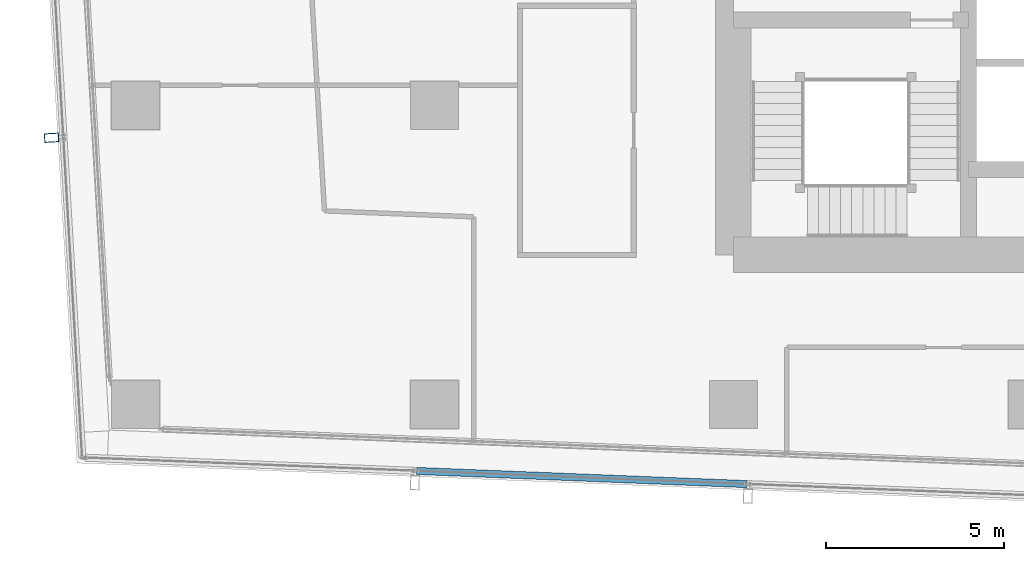
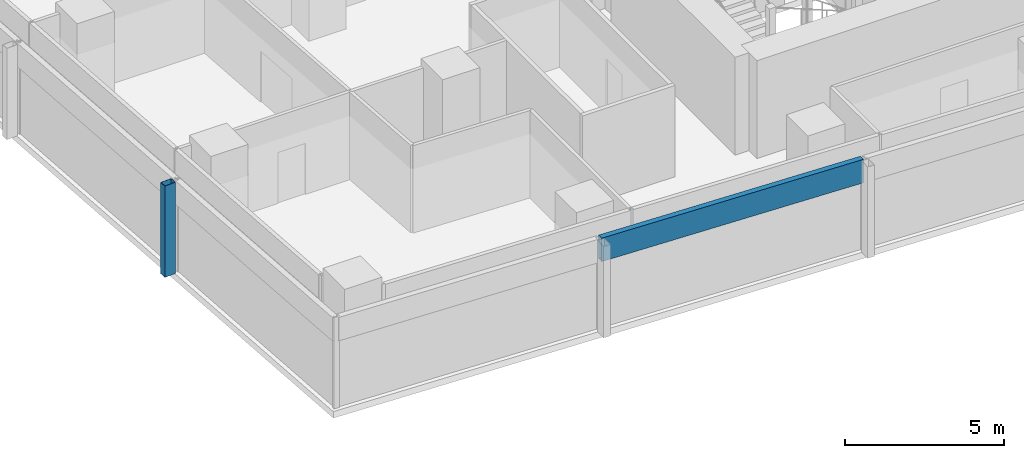
# One storey, part 4 of 39: 2 members, 2 elements without a shape of their own.
"""IFC4 building model written with IfcOpenShell, lengths in metres."""

import ifcopenshell
import ifcopenshell.guid

model = None  # the IFC model being written
_history = None  # IfcOwnerHistory: only IFC2X3 demands one
_inside = {}  # id of a spatial element -> (the spatial element, [elements in it])
_under = {}  # id of a project, library or spatial element -> (it, [spatial elements below it])
_declared = {}  # id of a project -> (the project, [libraries it declares])
_typed = {}  # id of a type object -> (the type object, [elements of that type])
_made_of = {}  # id of a material, layer set ... -> (it, [elements and type objects made of it])


def new_model(schema):
    """Start an empty IFC model of exactly this schema.

    Asked for "IFC4X3", IfcOpenShell would pick the latest addendum, in which some entities
    have other attributes; the version numbers below select the first issue.
    IFC2X3 requires an IfcOwnerHistory on every rooted entity: one is made here for all.
    """
    global model, _history
    if schema == "IFC4X3":
        model = ifcopenshell.file(schema_version=(4, 3, 0, 0))
    else:
        model = ifcopenshell.file(schema=schema)
    _inside.clear()
    _under.clear()
    _declared.clear()
    _typed.clear()
    _made_of.clear()
    _history = None
    if model.schema == "IFC2X3":
        org = make("IfcOrganization", Name="unknown")
        user = make(
            "IfcPersonAndOrganization",
            ThePerson=make("IfcPerson", FamilyName="unknown"),
            TheOrganization=org,
        )
        app = make(
            "IfcApplication",
            ApplicationDeveloper=org,
            Version="unknown",
            ApplicationFullName="unknown",
            ApplicationIdentifier="unknown",
        )
        _history = make(
            "IfcOwnerHistory",
            OwningUser=user,
            OwningApplication=app,
            ChangeAction="ADDED",
            CreationDate=0,
        )
    return model


def make(cls, **values):
    """One entity of the class cls with the attributes given. An attribute that is None is left unset."""
    return model.create_entity(
        cls, **{name: value for name, value in values.items() if value is not None}
    )


def rooted(cls, **values):
    """An entity with a GlobalId (a new one), such as an element, a storey or a relation."""
    return make(cls, GlobalId=ifcopenshell.guid.new(), OwnerHistory=_history, **values)


def si_unit(unit_type, name, prefix=None):
    """IfcSIUnit, for example si_unit("LENGTHUNIT", "METRE", prefix="MILLI")."""
    return make("IfcSIUnit", UnitType=unit_type, Prefix=prefix, Name=name)


def assignment(units):
    """IfcUnitAssignment: the units of a project."""
    return None if units is None else make("IfcUnitAssignment", Units=units)


def point(xyz):
    """IfcCartesianPoint."""
    return None if xyz is None else make("IfcCartesianPoint", Coordinates=xyz)


def direction(xyz):
    """IfcDirection."""
    return None if xyz is None else make("IfcDirection", DirectionRatios=xyz)


def frame(location, z_axis=None, x_axis=None):
    """IfcAxis2Placement3D, a coordinate frame: its origin and axes. An axis left out is left unset."""
    return make(
        "IfcAxis2Placement3D",
        Location=point(location),
        Axis=direction(z_axis),
        RefDirection=direction(x_axis),
    )


def frame_2d(location, x_axis=None):
    """IfcAxis2Placement2D, a coordinate frame in the plane: its origin and x axis."""
    return make(
        "IfcAxis2Placement2D", Location=point(location), RefDirection=direction(x_axis)
    )


def origin():
    """The frame at (0, 0, 0) with its axes left unset."""
    return frame((0.0, 0.0, 0.0))


def origin_2d():
    """The frame at (0, 0) in the plane with its x axis left unset."""
    return frame_2d((0.0, 0.0))


def place(relative_to, where):
    """IfcLocalPlacement: puts the frame where relative to a parent placement (None: the world)."""
    return make(
        "IfcLocalPlacement", PlacementRelTo=relative_to, RelativePlacement=where
    )


def context(
    kind, dimensions, precision=None, world=None, true_north=None, identifier=None
):
    """IfcGeometricRepresentationContext, for example the 3D "Model" context."""
    return make(
        "IfcGeometricRepresentationContext",
        ContextIdentifier=identifier,
        ContextType=kind,
        CoordinateSpaceDimension=dimensions,
        Precision=precision,
        WorldCoordinateSystem=world,
        TrueNorth=true_north,
    )


def subcontext(parent, identifier, kind, view, scale=None):
    """IfcGeometricRepresentationSubContext, for example "Body" below "Model"."""
    return make(
        "IfcGeometricRepresentationSubContext",
        ContextIdentifier=identifier,
        ContextType=kind,
        ParentContext=parent,
        TargetScale=scale,
        TargetView=view,
    )


def project(units=None, contexts=None):
    """IfcProject with its units and contexts."""
    return rooted(
        "IfcProject",
        Name="project",
        RepresentationContexts=contexts,
        UnitsInContext=assignment(units),
    )


def spatial(cls, under=None, at=None, **own):
    """A site, building, storey or space (cls), placed at a placement, below another one or the project."""
    s = rooted(cls, ObjectPlacement=at, **own)
    if under is not None:
        _under.setdefault(under.id(), (under, []))[1].append(s)
    return s


def profile(cls, at=None, kind="AREA", **sizes):
    """A parametric profile (cls). Its sizes go by their IFC names, for example OverallWidth=200.0."""
    return make(cls, ProfileType=kind, Position=at, **sizes)


def hollow_rectangle(**sizes):
    """IfcRectangleHollowProfileDef."""
    return profile("IfcRectangleHollowProfileDef", **sizes)


def extrude(swept, where, along, depth):
    """IfcExtrudedAreaSolid: the profile swept, set in the frame where, extruded along a direction by depth."""
    return make(
        "IfcExtrudedAreaSolid",
        SweptArea=swept,
        Position=where,
        ExtrudedDirection=direction(along),
        Depth=depth,
    )


def shape(context_of_items, identifier, shape_type, items):
    """IfcShapeRepresentation: the items that make up one representation, for example the "Body"."""
    return make(
        "IfcShapeRepresentation",
        ContextOfItems=context_of_items,
        RepresentationIdentifier=identifier,
        RepresentationType=shape_type,
        Items=items,
    )


def material(Name=None, Category=None):
    """IfcMaterial."""
    return make("IfcMaterial", Name=Name, Category=Category)


def material_profile(
    of_material, cross_section, Name=None, Category=None, Priority=None
):
    """IfcMaterialProfile: a cross section and its material."""
    return make(
        "IfcMaterialProfile",
        Name=Name,
        Material=of_material,
        Profile=cross_section,
        Priority=Priority,
        Category=Category,
    )


def profile_set(profiles, Name=None, composite=None):
    """IfcMaterialProfileSet."""
    return make(
        "IfcMaterialProfileSet",
        Name=Name,
        MaterialProfiles=profiles,
        CompositeProfile=composite,
    )


def made_of(thing, what):
    """Note that an element or type object is made of a material, layer set ...; save() writes the relation."""
    if what is not None:
        _made_of.setdefault(what.id(), (what, []))[1].append(thing)
    return thing


def type_object(cls, material=None, **own):
    """A type object (cls), such as IfcWallType, which elements share."""
    return made_of(rooted(cls, **own), material)


def element(
    cls,
    number,
    at=None,
    inside=None,
    cuts=None,
    type_object=None,
    material=None,
    context=None,
    identifier="Body",
    shape_type=None,
    held_by="IfcProductDefinitionShape",
    body=None,
    shapes=None,
    **own,
):
    """One element of the class cls, such as IfcWall. Its Tag is "e" and its number.

    at: its placement. inside: the storey or other place that contains it. cuts: it is an
    opening in that element (IfcRelVoidsElement). A single representation is given by context,
    identifier, shape_type and body (its items); several are given by shapes. held_by: the class
    of the entity that holds the representations. save() writes the other relations.
    """
    e = rooted(cls, Tag="e%d" % number, ObjectPlacement=at, **own)
    if body is not None:
        shapes = [shape(context, identifier, shape_type, body)]
    if shapes is not None:
        e.Representation = make(held_by, Representations=shapes)
    if inside is not None:
        _inside.setdefault(inside.id(), (inside, []))[1].append(e)
    if cuts is not None:
        rooted(
            "IfcRelVoidsElement", RelatingBuildingElement=cuts, RelatedOpeningElement=e
        )
    if type_object is not None:
        _typed.setdefault(type_object.id(), (type_object, []))[1].append(e)
    return made_of(e, material)


def aggregate(whole, parts):
    """IfcRelAggregates: a whole, such as a stair, and the parts it consists of."""
    return rooted("IfcRelAggregates", RelatingObject=whole, RelatedObjects=parts)


def save(model, path):
    """Write the relations noted so far, then the file.

    IfcRelAggregates (storeys below a building ...), IfcRelContainedInSpatialStructure (elements
    in a storey), IfcRelDefinesByType, IfcRelAssociatesMaterial and IfcRelDeclares: one each for
    every whole, place, type object, material and project.
    """
    for whole, parts in _under.values():
        aggregate(whole, parts)
    for where, things in _inside.values():
        rooted(
            "IfcRelContainedInSpatialStructure",
            RelatedElements=things,
            RelatingStructure=where,
        )
    for kind, things in _typed.values():
        rooted("IfcRelDefinesByType", RelatedObjects=things, RelatingType=kind)
    for what, things in _made_of.values():
        rooted("IfcRelAssociatesMaterial", RelatedObjects=things, RelatingMaterial=what)
    for by, libraries in _declared.values():
        rooted("IfcRelDeclares", RelatingContext=by, RelatedDefinitions=libraries)
    model.write(path)


model = new_model("IFC4")

# Units and contexts
model_context = context("Model", 3, precision=1e-05, world=origin(), true_north=direction((0.0, 1.0)))
body_context = subcontext(model_context, "Body", "Model", "MODEL_VIEW")
ifc_project = project(units=[si_unit("LENGTHUNIT", "METRE"), si_unit("AREAUNIT", "SQUARE_METRE"), si_unit("VOLUMEUNIT", "CUBIC_METRE"), si_unit("PLANEANGLEUNIT", "RADIAN"), si_unit("MASSUNIT", "GRAM", prefix="KILO")], contexts=[model_context])

# Site, building, storey
site_placement = place(None, origin())
site = spatial("IfcSite", under=ifc_project, at=site_placement, CompositionType="ELEMENT")
building_placement = place(site_placement, origin())
building = spatial("IfcBuilding", under=site, at=building_placement, Name="Rekha Terrace Tower", CompositionType="ELEMENT")
storey_placement = place(building_placement, frame((0.0, 0.0, 217.699951171875)))
storey = spatial("IfcBuildingStorey", under=building, at=storey_placement, Name="L55", CompositionType="ELEMENT", Elevation=217.699951171875)

# Curtain wall, member
ifc_material_1 = material(Name="Aluminium framing", Category="aluminium")
curtain_wall_type = type_object("IfcCurtainWallType", Name="CW2 double skin outer glazing", PredefinedType="USERDEFINED", material=ifc_material_1)
curtain_wall_1_placement = place(storey_placement, origin())
curtain_wall_1 = element("IfcCurtainWall", 1, at=curtain_wall_1_placement, inside=storey, type_object=curtain_wall_type, Name="CW2 double skin outer glazing", ObjectType="DOUBLE SKIN OUTER GLAZING", PredefinedType="USERDEFINED")
ifc_material_2 = material(Name="Steel S355 with fluorocarbon finish", Category="steel")
ifc_material_profile_1 = material_profile(ifc_material_2, hollow_rectangle(XDim=0.25, YDim=0.39990234375, WallThickness=0.012451171875, at=origin_2d()), Name="RHS400x250x12.5")
ifc_profile_set_1 = profile_set([ifc_material_profile_1], Name="Steel S355 with fluorocarbon finish")
member_type_1 = type_object("IfcMemberType", Name="BL1 facade blade RHS 400 x 250", PredefinedType="USERDEFINED", material=ifc_profile_set_1)
member_1_placement = place(storey_placement, frame((6.03662109375, 24.292236328125, 0.0), z_axis=(0.0, 0.0, 1.0), x_axis=(0.058764522885, -0.998271872212, 0.0)))
member_1 = element("IfcMember", 2, at=member_1_placement, type_object=member_type_1, Name="Facade blade", ObjectType="FACADE BLADE", PredefinedType="USERDEFINED", context=body_context, shape_type="SweptSolid", body=[
    extrude(hollow_rectangle(XDim=0.25, YDim=0.39990234375, WallThickness=0.012451171875, at=origin_2d()), origin(), (0.0, 0.0, 1.0), 3.5),
])
aggregate(curtain_wall_1, [member_1])

curtain_wall_2_placement = place(storey_placement, origin())
curtain_wall_2 = element("IfcCurtainWall", 3, at=curtain_wall_2_placement, inside=storey, type_object=curtain_wall_type, Name="CW2 double skin outer glazing", ObjectType="DOUBLE SKIN OUTER GLAZING", PredefinedType="USERDEFINED")
ifc_material_3 = material(Name="Insulated aluminium spandrel box", Category="aluminium")
ifc_material_profile_2 = material_profile(ifc_material_3, hollow_rectangle(XDim=0.199951171875, YDim=0.89990234375, WallThickness=0.0029296875, at=origin_2d()), Name="AL SPANDREL BOX 200x900")
ifc_profile_set_2 = profile_set([ifc_material_profile_2], Name="Insulated aluminium spandrel box")
member_type_2 = type_object("IfcMemberType", Name="CW2 spandrel transom 200 x 900", PredefinedType="USERDEFINED", material=ifc_profile_set_2)
member_2_placement = place(storey_placement, frame((16.2998046875, 14.928955078125, 3.050048828125), z_axis=(0.999205404308, -0.039856743486, 0.0), x_axis=(0.039856743486, 0.999205404308, 0.0)))
member_2 = element("IfcMember", 4, at=member_2_placement, type_object=member_type_2, Name="CW2 spandrel transom 2", ObjectType="TRANSOM", PredefinedType="USERDEFINED", context=body_context, shape_type="SweptSolid", body=[
    extrude(hollow_rectangle(XDim=0.199951171875, YDim=0.89990234375, WallThickness=0.0029296875, at=origin_2d()), origin(), (0.0, 0.0, 1.0), 9.2861328125),
])
aggregate(curtain_wall_2, [member_2])

save(model, "model.ifc")
